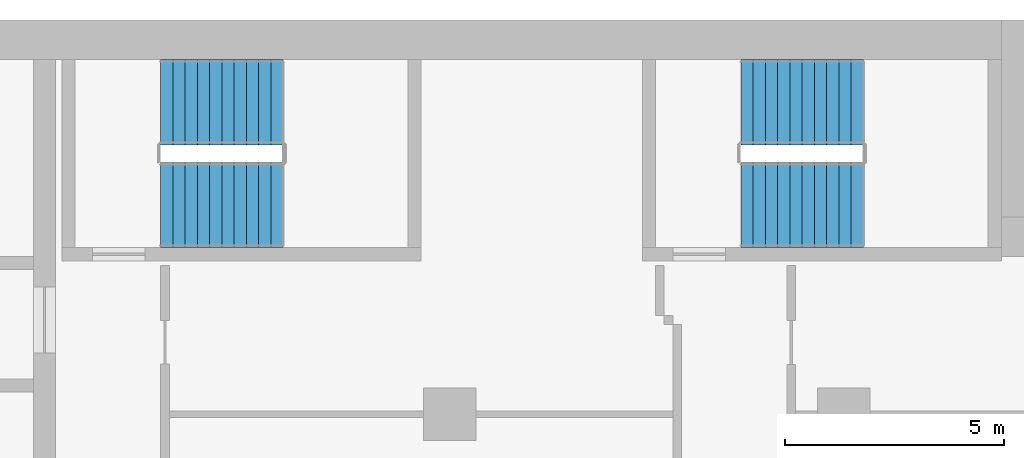
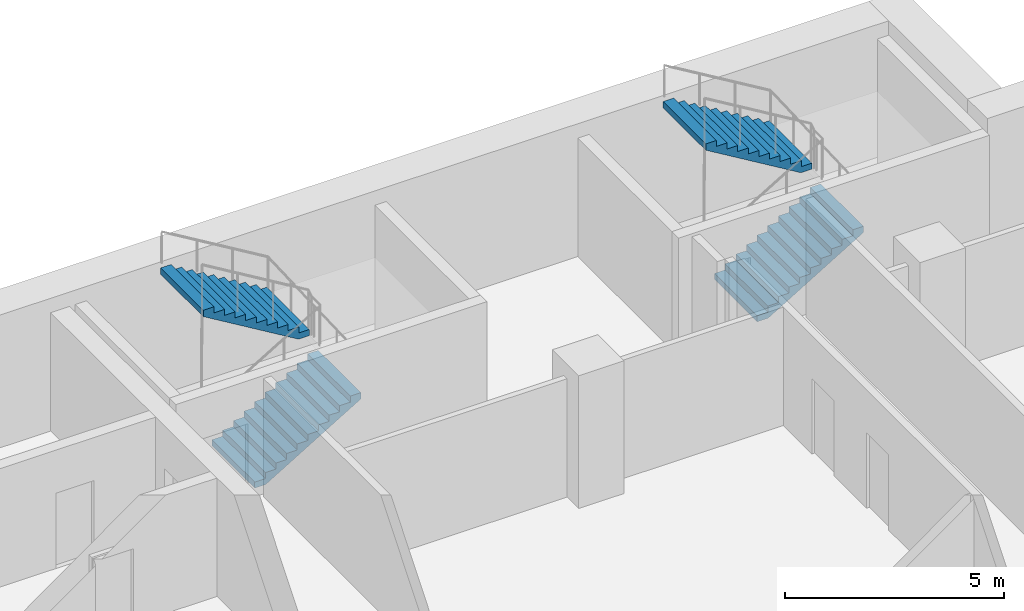
# One storey, part 18 of 23: 4 stair flights, 2 elements without a shape of their own.
"""IFC4 building model written with IfcOpenShell, lengths in metres."""

from ifc_helpers import new_model, si_unit, direction, frame, origin, place, context, subcontext, project, spatial, polyline, outline, extrude, material, type_object, element, aggregate, save


model = new_model("IFC4")

# Units and contexts
model_context = context("Model", 3, precision=1e-05, world=origin(), true_north=direction((0.0, 1.0)))
body_context = subcontext(model_context, "Body", "Model", "MODEL_VIEW")
ifc_project = project(units=[si_unit("LENGTHUNIT", "METRE"), si_unit("AREAUNIT", "SQUARE_METRE"), si_unit("VOLUMEUNIT", "CUBIC_METRE"), si_unit("PLANEANGLEUNIT", "RADIAN"), si_unit("MASSUNIT", "GRAM", prefix="KILO")], contexts=[model_context])

# Site, building, storey
site_placement = place(None, origin())
site = spatial("IfcSite", under=ifc_project, at=site_placement, CompositionType="ELEMENT")
building_placement = place(site_placement, origin())
building = spatial("IfcBuilding", under=site, at=building_placement, Name="Hunhe Ridgeline Campus", CompositionType="ELEMENT")
storey_placement = place(building_placement, frame((0.0, 0.0, 148.60009765625)))
storey = spatial("IfcBuildingStorey", under=building, at=storey_placement, Name="L37", CompositionType="ELEMENT", Elevation=148.60009765625)

# Stair, stair flights
ifc_material = material(Name="Concrete C40", Category="concrete")
stair_type = type_object("IfcStairType", Name="Reinforced concrete dog-leg stair 1950 Concrete C40", PredefinedType="HALF_TURN_STAIR", material=ifc_material)
stair_1_placement = place(storey_placement, origin())
stair_1 = element("IfcStair", 1, at=stair_1_placement, inside=storey, type_object=stair_type, Name="L37 E1", PredefinedType="HALF_TURN_STAIR")
stair_flight_type = type_object("IfcStairFlightType", Name="Reinforced concrete stair flight 1950 Concrete C40", PredefinedType="STRAIGHT", material=ifc_material)
stair_flight_1_placement = place(storey_placement, frame((38.39990234375, 94.77490234375, 0.0), z_axis=(0.0, 0.0, 1.0), x_axis=(1.0, 0.0, 0.0)))
stair_flight_1 = element("IfcStairFlight", 2, at=stair_flight_1_placement, type_object=stair_flight_type, Name="ST5 flight 1", NumberOfRisers=11, NumberOfTreads=10, PredefinedType="STRAIGHT", RiserHeight=0.168181818, TreadLength=0.28, context=body_context, shape_type="SweptSolid", body=[
    extrude(outline(polyline([(0.0, 0.0), (0.0, 0.168212890625), (0.280029296875, 0.168212890625), (0.280029296875, 0.33642578125), (0.56005859375, 0.33642578125), (0.56005859375, 0.504638671875), (0.840087890625, 0.504638671875), (0.840087890625, 0.672607421875), (1.1201171875, 0.672607421875), (1.1201171875, 0.8408203125), (1.39990234375, 0.8408203125), (1.39990234375, 1.009033203125), (1.679931640625, 1.009033203125), (1.679931640625, 1.17724609375), (1.9599609375, 1.17724609375), (1.9599609375, 1.345458984375), (2.239990234375, 1.345458984375), (2.239990234375, 1.513671875), (2.52001953125, 1.513671875), (2.52001953125, 1.681884765625), (2.800048828125, 1.681884765625), (2.800048828125, 1.85009765625), (2.800048828125, 1.5068359375), (0.291015625, 0.0), (0.0, 0.0)])), frame((0.0, 0.97509765625, 0.0), z_axis=(0.0, -1.0, 0.0), x_axis=(1.0, 0.0, 0.0)), (0.0, 0.0, 1.0), 1.949951171875),
    extrude(outline(polyline([(0.030029296875, 0.030029296875), (0.030029296875, 0.13818359375), (0.31005859375, 0.13818359375), (0.31005859375, 0.306396484375), (0.590087890625, 0.306396484375), (0.590087890625, 0.474609375), (0.8701171875, 0.474609375), (0.8701171875, 0.642578125), (1.14990234375, 0.642578125), (1.14990234375, 0.810791015625), (1.429931640625, 0.810791015625), (1.429931640625, 0.97900390625), (1.7099609375, 0.97900390625), (1.7099609375, 1.147216796875), (1.989990234375, 1.147216796875), (1.989990234375, 1.3154296875), (2.27001953125, 1.3154296875), (2.27001953125, 1.483642578125), (2.550048828125, 1.483642578125), (2.550048828125, 1.65185546875), (2.77001953125, 1.65185546875), (2.77001953125, 1.52392578125), (0.28271484375, 0.030029296875), (0.030029296875, 0.030029296875)])), frame((0.0, -0.070068359375, 0.0), z_axis=(0.0, -1.0, 0.0), x_axis=(1.0, 0.0, 0.0)), (0.0, 0.0, 1.0), 0.019775390625),
    extrude(outline(polyline([(0.030029296875, 0.030029296875), (0.030029296875, 0.13818359375), (0.31005859375, 0.13818359375), (0.31005859375, 0.306396484375), (0.590087890625, 0.306396484375), (0.590087890625, 0.474609375), (0.8701171875, 0.474609375), (0.8701171875, 0.642578125), (1.14990234375, 0.642578125), (1.14990234375, 0.810791015625), (1.429931640625, 0.810791015625), (1.429931640625, 0.97900390625), (1.7099609375, 0.97900390625), (1.7099609375, 1.147216796875), (1.989990234375, 1.147216796875), (1.989990234375, 1.3154296875), (2.27001953125, 1.3154296875), (2.27001953125, 1.483642578125), (2.550048828125, 1.483642578125), (2.550048828125, 1.65185546875), (2.77001953125, 1.65185546875), (2.77001953125, 1.52392578125), (0.28271484375, 0.030029296875), (0.030029296875, 0.030029296875)])), frame((0.0, 0.010009765625, 0.0), z_axis=(0.0, -1.0, 0.0), x_axis=(1.0, 0.0, 0.0)), (0.0, 0.0, 1.0), 0.019775390625),
    extrude(outline(polyline([(0.030029296875, 0.030029296875), (0.030029296875, 0.13818359375), (0.31005859375, 0.13818359375), (0.31005859375, 0.306396484375), (0.590087890625, 0.306396484375), (0.590087890625, 0.474609375), (0.8701171875, 0.474609375), (0.8701171875, 0.642578125), (1.14990234375, 0.642578125), (1.14990234375, 0.810791015625), (1.429931640625, 0.810791015625), (1.429931640625, 0.97900390625), (1.7099609375, 0.97900390625), (1.7099609375, 1.147216796875), (1.989990234375, 1.147216796875), (1.989990234375, 1.3154296875), (2.27001953125, 1.3154296875), (2.27001953125, 1.483642578125), (2.550048828125, 1.483642578125), (2.550048828125, 1.65185546875), (2.77001953125, 1.65185546875), (2.77001953125, 1.52392578125), (0.28271484375, 0.030029296875), (0.030029296875, 0.030029296875)])), frame((0.0, 0.090087890625, 0.0), z_axis=(0.0, -1.0, 0.0), x_axis=(1.0, 0.0, 0.0)), (0.0, 0.0, 1.0), 0.019775390625),
])
stair_flight_2_placement = place(storey_placement, frame((41.199951171875, 97.125, 1.849853515625), z_axis=(0.0, 0.0, 1.0), x_axis=(-1.0, 0.0, 0.0)))
stair_flight_2 = element("IfcStairFlight", 3, at=stair_flight_2_placement, type_object=stair_flight_type, Name="ST5 flight 2", NumberOfRisers=11, NumberOfTreads=10, PredefinedType="STRAIGHT", RiserHeight=0.168181818, TreadLength=0.28, context=body_context, shape_type="SweptSolid", body=[
    extrude(outline(polyline([(0.0, 0.0), (0.0, 0.168212890625), (0.280029296875, 0.168212890625), (0.280029296875, 0.33642578125), (0.56005859375, 0.33642578125), (0.56005859375, 0.504638671875), (0.840087890625, 0.504638671875), (0.840087890625, 0.672607421875), (1.1201171875, 0.672607421875), (1.1201171875, 0.8408203125), (1.39990234375, 0.8408203125), (1.39990234375, 1.009033203125), (1.679931640625, 1.009033203125), (1.679931640625, 1.17724609375), (1.9599609375, 1.17724609375), (1.9599609375, 1.345458984375), (2.239990234375, 1.345458984375), (2.239990234375, 1.513671875), (2.52001953125, 1.513671875), (2.52001953125, 1.681884765625), (2.800048828125, 1.681884765625), (2.800048828125, 1.85009765625), (2.800048828125, 1.5068359375), (0.291015625, 0.0), (0.0, 0.0)])), frame((0.0, 0.97509765625, 0.0), z_axis=(0.0, -1.0, 0.0), x_axis=(1.0, 0.0, 0.0)), (0.0, 0.0, 1.0), 1.949951171875),
    extrude(outline(polyline([(0.030029296875, 0.030029296875), (0.030029296875, 0.13818359375), (0.31005859375, 0.13818359375), (0.31005859375, 0.306396484375), (0.590087890625, 0.306396484375), (0.590087890625, 0.474609375), (0.8701171875, 0.474609375), (0.8701171875, 0.642578125), (1.14990234375, 0.642578125), (1.14990234375, 0.810791015625), (1.429931640625, 0.810791015625), (1.429931640625, 0.97900390625), (1.7099609375, 0.97900390625), (1.7099609375, 1.147216796875), (1.989990234375, 1.147216796875), (1.989990234375, 1.3154296875), (2.27001953125, 1.3154296875), (2.27001953125, 1.483642578125), (2.550048828125, 1.483642578125), (2.550048828125, 1.65185546875), (2.77001953125, 1.65185546875), (2.77001953125, 1.52392578125), (0.28271484375, 0.030029296875), (0.030029296875, 0.030029296875)])), frame((0.0, -0.070068359375, 0.0), z_axis=(0.0, -1.0, 0.0), x_axis=(1.0, 0.0, 0.0)), (0.0, 0.0, 1.0), 0.019775390625),
    extrude(outline(polyline([(0.030029296875, 0.030029296875), (0.030029296875, 0.13818359375), (0.31005859375, 0.13818359375), (0.31005859375, 0.306396484375), (0.590087890625, 0.306396484375), (0.590087890625, 0.474609375), (0.8701171875, 0.474609375), (0.8701171875, 0.642578125), (1.14990234375, 0.642578125), (1.14990234375, 0.810791015625), (1.429931640625, 0.810791015625), (1.429931640625, 0.97900390625), (1.7099609375, 0.97900390625), (1.7099609375, 1.147216796875), (1.989990234375, 1.147216796875), (1.989990234375, 1.3154296875), (2.27001953125, 1.3154296875), (2.27001953125, 1.483642578125), (2.550048828125, 1.483642578125), (2.550048828125, 1.65185546875), (2.77001953125, 1.65185546875), (2.77001953125, 1.52392578125), (0.28271484375, 0.030029296875), (0.030029296875, 0.030029296875)])), frame((0.0, 0.010009765625, 0.0), z_axis=(0.0, -1.0, 0.0), x_axis=(1.0, 0.0, 0.0)), (0.0, 0.0, 1.0), 0.019775390625),
    extrude(outline(polyline([(0.030029296875, 0.030029296875), (0.030029296875, 0.13818359375), (0.31005859375, 0.13818359375), (0.31005859375, 0.306396484375), (0.590087890625, 0.306396484375), (0.590087890625, 0.474609375), (0.8701171875, 0.474609375), (0.8701171875, 0.642578125), (1.14990234375, 0.642578125), (1.14990234375, 0.810791015625), (1.429931640625, 0.810791015625), (1.429931640625, 0.97900390625), (1.7099609375, 0.97900390625), (1.7099609375, 1.147216796875), (1.989990234375, 1.147216796875), (1.989990234375, 1.3154296875), (2.27001953125, 1.3154296875), (2.27001953125, 1.483642578125), (2.550048828125, 1.483642578125), (2.550048828125, 1.65185546875), (2.77001953125, 1.65185546875), (2.77001953125, 1.52392578125), (0.28271484375, 0.030029296875), (0.030029296875, 0.030029296875)])), frame((0.0, 0.090087890625, 0.0), z_axis=(0.0, -1.0, 0.0), x_axis=(1.0, 0.0, 0.0)), (0.0, 0.0, 1.0), 0.019775390625),
])
aggregate(stair_1, [stair_flight_1, stair_flight_2])

stair_2_placement = place(storey_placement, origin())
stair_2 = element("IfcStair", 4, at=stair_2_placement, inside=storey, type_object=stair_type, Name="L37 E2", PredefinedType="HALF_TURN_STAIR")
stair_flight_3_placement = place(storey_placement, frame((51.64990234375, 94.77490234375, 0.0), z_axis=(0.0, 0.0, 1.0), x_axis=(1.0, 0.0, 0.0)))
stair_flight_3 = element("IfcStairFlight", 5, at=stair_flight_3_placement, type_object=stair_flight_type, Name="ST6 flight 1", NumberOfRisers=11, NumberOfTreads=10, PredefinedType="STRAIGHT", RiserHeight=0.168181818, TreadLength=0.28, context=body_context, shape_type="SweptSolid", body=[
    extrude(outline(polyline([(0.0, 0.0), (0.0, 0.168212890625), (0.280029296875, 0.168212890625), (0.280029296875, 0.33642578125), (0.56005859375, 0.33642578125), (0.56005859375, 0.504638671875), (0.840087890625, 0.504638671875), (0.840087890625, 0.672607421875), (1.1201171875, 0.672607421875), (1.1201171875, 0.8408203125), (1.39990234375, 0.8408203125), (1.39990234375, 1.009033203125), (1.679931640625, 1.009033203125), (1.679931640625, 1.17724609375), (1.9599609375, 1.17724609375), (1.9599609375, 1.345458984375), (2.239990234375, 1.345458984375), (2.239990234375, 1.513671875), (2.52001953125, 1.513671875), (2.52001953125, 1.681884765625), (2.800048828125, 1.681884765625), (2.800048828125, 1.85009765625), (2.800048828125, 1.5068359375), (0.291015625, 0.0), (0.0, 0.0)])), frame((0.0, 0.97509765625, 0.0), z_axis=(0.0, -1.0, 0.0), x_axis=(1.0, 0.0, 0.0)), (0.0, 0.0, 1.0), 1.949951171875),
    extrude(outline(polyline([(0.030029296875, 0.030029296875), (0.030029296875, 0.13818359375), (0.31005859375, 0.13818359375), (0.31005859375, 0.306396484375), (0.590087890625, 0.306396484375), (0.590087890625, 0.474609375), (0.8701171875, 0.474609375), (0.8701171875, 0.642578125), (1.14990234375, 0.642578125), (1.14990234375, 0.810791015625), (1.429931640625, 0.810791015625), (1.429931640625, 0.97900390625), (1.7099609375, 0.97900390625), (1.7099609375, 1.147216796875), (1.989990234375, 1.147216796875), (1.989990234375, 1.3154296875), (2.27001953125, 1.3154296875), (2.27001953125, 1.483642578125), (2.550048828125, 1.483642578125), (2.550048828125, 1.65185546875), (2.77001953125, 1.65185546875), (2.77001953125, 1.52392578125), (0.28271484375, 0.030029296875), (0.030029296875, 0.030029296875)])), frame((0.0, -0.070068359375, 0.0), z_axis=(0.0, -1.0, 0.0), x_axis=(1.0, 0.0, 0.0)), (0.0, 0.0, 1.0), 0.019775390625),
    extrude(outline(polyline([(0.030029296875, 0.030029296875), (0.030029296875, 0.13818359375), (0.31005859375, 0.13818359375), (0.31005859375, 0.306396484375), (0.590087890625, 0.306396484375), (0.590087890625, 0.474609375), (0.8701171875, 0.474609375), (0.8701171875, 0.642578125), (1.14990234375, 0.642578125), (1.14990234375, 0.810791015625), (1.429931640625, 0.810791015625), (1.429931640625, 0.97900390625), (1.7099609375, 0.97900390625), (1.7099609375, 1.147216796875), (1.989990234375, 1.147216796875), (1.989990234375, 1.3154296875), (2.27001953125, 1.3154296875), (2.27001953125, 1.483642578125), (2.550048828125, 1.483642578125), (2.550048828125, 1.65185546875), (2.77001953125, 1.65185546875), (2.77001953125, 1.52392578125), (0.28271484375, 0.030029296875), (0.030029296875, 0.030029296875)])), frame((0.0, 0.010009765625, 0.0), z_axis=(0.0, -1.0, 0.0), x_axis=(1.0, 0.0, 0.0)), (0.0, 0.0, 1.0), 0.019775390625),
    extrude(outline(polyline([(0.030029296875, 0.030029296875), (0.030029296875, 0.13818359375), (0.31005859375, 0.13818359375), (0.31005859375, 0.306396484375), (0.590087890625, 0.306396484375), (0.590087890625, 0.474609375), (0.8701171875, 0.474609375), (0.8701171875, 0.642578125), (1.14990234375, 0.642578125), (1.14990234375, 0.810791015625), (1.429931640625, 0.810791015625), (1.429931640625, 0.97900390625), (1.7099609375, 0.97900390625), (1.7099609375, 1.147216796875), (1.989990234375, 1.147216796875), (1.989990234375, 1.3154296875), (2.27001953125, 1.3154296875), (2.27001953125, 1.483642578125), (2.550048828125, 1.483642578125), (2.550048828125, 1.65185546875), (2.77001953125, 1.65185546875), (2.77001953125, 1.52392578125), (0.28271484375, 0.030029296875), (0.030029296875, 0.030029296875)])), frame((0.0, 0.090087890625, 0.0), z_axis=(0.0, -1.0, 0.0), x_axis=(1.0, 0.0, 0.0)), (0.0, 0.0, 1.0), 0.019775390625),
])
stair_flight_4_placement = place(storey_placement, frame((54.449951171875, 97.125, 1.849853515625), z_axis=(0.0, 0.0, 1.0), x_axis=(-1.0, 0.0, 0.0)))
stair_flight_4 = element("IfcStairFlight", 6, at=stair_flight_4_placement, type_object=stair_flight_type, Name="ST6 flight 2", NumberOfRisers=11, NumberOfTreads=10, PredefinedType="STRAIGHT", RiserHeight=0.168181818, TreadLength=0.28, context=body_context, shape_type="SweptSolid", body=[
    extrude(outline(polyline([(0.0, 0.0), (0.0, 0.168212890625), (0.280029296875, 0.168212890625), (0.280029296875, 0.33642578125), (0.56005859375, 0.33642578125), (0.56005859375, 0.504638671875), (0.840087890625, 0.504638671875), (0.840087890625, 0.672607421875), (1.1201171875, 0.672607421875), (1.1201171875, 0.8408203125), (1.39990234375, 0.8408203125), (1.39990234375, 1.009033203125), (1.679931640625, 1.009033203125), (1.679931640625, 1.17724609375), (1.9599609375, 1.17724609375), (1.9599609375, 1.345458984375), (2.239990234375, 1.345458984375), (2.239990234375, 1.513671875), (2.52001953125, 1.513671875), (2.52001953125, 1.681884765625), (2.800048828125, 1.681884765625), (2.800048828125, 1.85009765625), (2.800048828125, 1.5068359375), (0.291015625, 0.0), (0.0, 0.0)])), frame((0.0, 0.97509765625, 0.0), z_axis=(0.0, -1.0, 0.0), x_axis=(1.0, 0.0, 0.0)), (0.0, 0.0, 1.0), 1.949951171875),
    extrude(outline(polyline([(0.030029296875, 0.030029296875), (0.030029296875, 0.13818359375), (0.31005859375, 0.13818359375), (0.31005859375, 0.306396484375), (0.590087890625, 0.306396484375), (0.590087890625, 0.474609375), (0.8701171875, 0.474609375), (0.8701171875, 0.642578125), (1.14990234375, 0.642578125), (1.14990234375, 0.810791015625), (1.429931640625, 0.810791015625), (1.429931640625, 0.97900390625), (1.7099609375, 0.97900390625), (1.7099609375, 1.147216796875), (1.989990234375, 1.147216796875), (1.989990234375, 1.3154296875), (2.27001953125, 1.3154296875), (2.27001953125, 1.483642578125), (2.550048828125, 1.483642578125), (2.550048828125, 1.65185546875), (2.77001953125, 1.65185546875), (2.77001953125, 1.52392578125), (0.28271484375, 0.030029296875), (0.030029296875, 0.030029296875)])), frame((0.0, -0.070068359375, 0.0), z_axis=(0.0, -1.0, 0.0), x_axis=(1.0, 0.0, 0.0)), (0.0, 0.0, 1.0), 0.019775390625),
    extrude(outline(polyline([(0.030029296875, 0.030029296875), (0.030029296875, 0.13818359375), (0.31005859375, 0.13818359375), (0.31005859375, 0.306396484375), (0.590087890625, 0.306396484375), (0.590087890625, 0.474609375), (0.8701171875, 0.474609375), (0.8701171875, 0.642578125), (1.14990234375, 0.642578125), (1.14990234375, 0.810791015625), (1.429931640625, 0.810791015625), (1.429931640625, 0.97900390625), (1.7099609375, 0.97900390625), (1.7099609375, 1.147216796875), (1.989990234375, 1.147216796875), (1.989990234375, 1.3154296875), (2.27001953125, 1.3154296875), (2.27001953125, 1.483642578125), (2.550048828125, 1.483642578125), (2.550048828125, 1.65185546875), (2.77001953125, 1.65185546875), (2.77001953125, 1.52392578125), (0.28271484375, 0.030029296875), (0.030029296875, 0.030029296875)])), frame((0.0, 0.010009765625, 0.0), z_axis=(0.0, -1.0, 0.0), x_axis=(1.0, 0.0, 0.0)), (0.0, 0.0, 1.0), 0.019775390625),
    extrude(outline(polyline([(0.030029296875, 0.030029296875), (0.030029296875, 0.13818359375), (0.31005859375, 0.13818359375), (0.31005859375, 0.306396484375), (0.590087890625, 0.306396484375), (0.590087890625, 0.474609375), (0.8701171875, 0.474609375), (0.8701171875, 0.642578125), (1.14990234375, 0.642578125), (1.14990234375, 0.810791015625), (1.429931640625, 0.810791015625), (1.429931640625, 0.97900390625), (1.7099609375, 0.97900390625), (1.7099609375, 1.147216796875), (1.989990234375, 1.147216796875), (1.989990234375, 1.3154296875), (2.27001953125, 1.3154296875), (2.27001953125, 1.483642578125), (2.550048828125, 1.483642578125), (2.550048828125, 1.65185546875), (2.77001953125, 1.65185546875), (2.77001953125, 1.52392578125), (0.28271484375, 0.030029296875), (0.030029296875, 0.030029296875)])), frame((0.0, 0.090087890625, 0.0), z_axis=(0.0, -1.0, 0.0), x_axis=(1.0, 0.0, 0.0)), (0.0, 0.0, 1.0), 0.019775390625),
])
aggregate(stair_2, [stair_flight_3, stair_flight_4])

save(model, "model.ifc")
